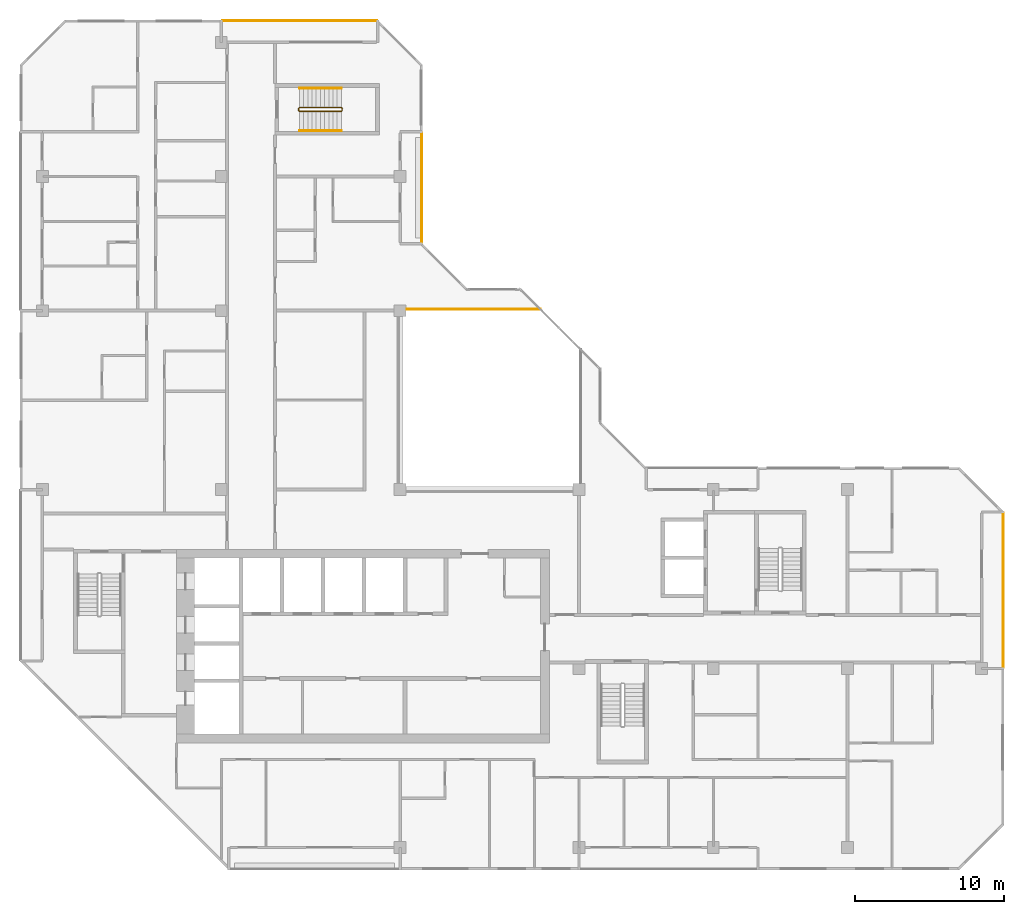
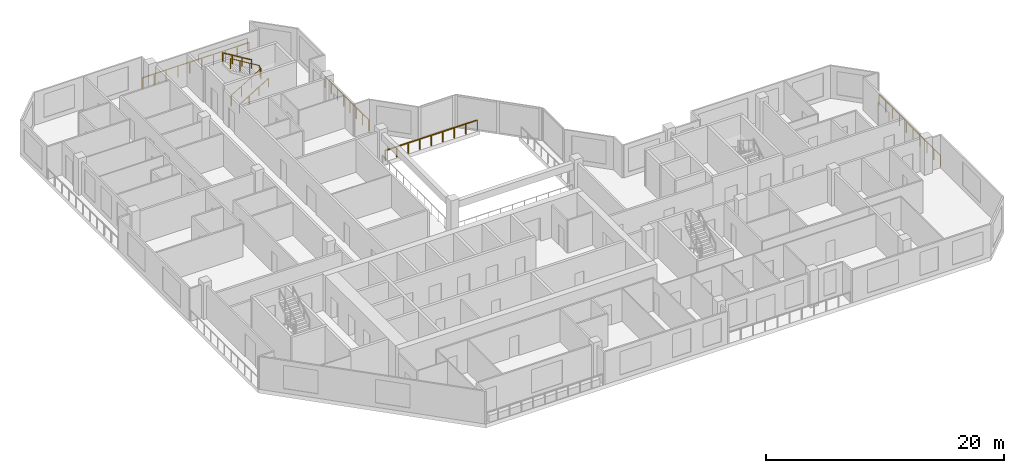
# One storey, part 13 of 13: 7 railings.
"""IFC4 building model written with IfcOpenShell, lengths in metres."""

from ifc_helpers import new_model, si_unit, direction, frame, origin, origin_2d, place, context, subcontext, project, spatial, rectangle, extrude, material, type_object, element, save


model = new_model("IFC4")

# Units and contexts
model_context = context("Model", 3, precision=1e-05, world=origin(), true_north=direction((0.0, 1.0)))
body_context = subcontext(model_context, "Body", "Model", "MODEL_VIEW")
ifc_project = project(units=[si_unit("LENGTHUNIT", "METRE"), si_unit("AREAUNIT", "SQUARE_METRE"), si_unit("VOLUMEUNIT", "CUBIC_METRE"), si_unit("PLANEANGLEUNIT", "RADIAN"), si_unit("MASSUNIT", "GRAM", prefix="KILO")], contexts=[model_context])

# Site, building, storey
site_placement = place(None, origin())
site = spatial("IfcSite", under=ifc_project, at=site_placement, CompositionType="ELEMENT")
building_placement = place(site_placement, origin())
building = spatial("IfcBuilding", under=site, at=building_placement, Name="Chenar Terraces", CompositionType="ELEMENT")
storey_placement = place(building_placement, frame((0.0, 0.0, 299.64990234375)))
storey = spatial("IfcBuildingStorey", under=building, at=storey_placement, Name="L70", CompositionType="ELEMENT", Elevation=299.64990234375)

# Railings
ifc_material_1 = material(Name="Powder-coated steel", Category="steel")
railing_type_1 = type_object("IfcRailingType", Name="Guard 1100 steel rail with glass infill", PredefinedType="GUARDRAIL", material=ifc_material_1)
railing_1_placement = place(storey_placement, frame((24.449951171875, 36.10009765625, 0.0)))
element("IfcRailing", 1, at=railing_1_placement, inside=storey, type_object=railing_type_1, Name="Guard L70-2", PredefinedType="GUARDRAIL", context=body_context, shape_type="SweptSolid", body=[
    extrude(rectangle(XDim=0.06005859375, YDim=0.06005859375, at=origin_2d()), frame((0.0, 0.0, 1.070068359375), z_axis=(1.0, 0.0, 0.0), x_axis=(0.0, 1.0, 0.0)), (0.0, 0.0, 1.0), 8.949951171875),
    extrude(rectangle(XDim=0.050048828125, YDim=0.050048828125, at=origin_2d()), origin(), (0.0, 0.0, 1.0), 1.0400390625),
    extrude(rectangle(XDim=0.050048828125, YDim=0.050048828125, at=origin_2d()), frame((1.11865234375, 0.0, 0.0)), (0.0, 0.0, 1.0), 1.0400390625),
    extrude(rectangle(XDim=0.050048828125, YDim=0.050048828125, at=origin_2d()), frame((2.237548828125, 0.0, 0.0)), (0.0, 0.0, 1.0), 1.0400390625),
    extrude(rectangle(XDim=0.050048828125, YDim=0.050048828125, at=origin_2d()), frame((3.356201171875, 0.0, 0.0)), (0.0, 0.0, 1.0), 1.0400390625),
    extrude(rectangle(XDim=0.050048828125, YDim=0.050048828125, at=origin_2d()), frame((4.47509765625, 0.0, 0.0)), (0.0, 0.0, 1.0), 1.0400390625),
    extrude(rectangle(XDim=0.050048828125, YDim=0.050048828125, at=origin_2d()), frame((5.59375, 0.0, 0.0)), (0.0, 0.0, 1.0), 1.0400390625),
    extrude(rectangle(XDim=0.050048828125, YDim=0.050048828125, at=origin_2d()), frame((6.71240234375, 0.0, 0.0)), (0.0, 0.0, 1.0), 1.0400390625),
    extrude(rectangle(XDim=0.050048828125, YDim=0.050048828125, at=origin_2d()), frame((7.831298828125, 0.0, 0.0)), (0.0, 0.0, 1.0), 1.0400390625),
    extrude(rectangle(XDim=0.050048828125, YDim=0.050048828125, at=origin_2d()), frame((8.949951171875, 0.0, 0.0)), (0.0, 0.0, 1.0), 1.0400390625),
])
ifc_material_2 = material(Name="Stainless steel and glass", Category="steel")
railing_type_2 = type_object("IfcRailingType", Name="Loggia guard 1150", PredefinedType="GUARDRAIL", material=ifc_material_2)
railing_2_placement = place(storey_placement, frame((25.449951171875, 40.574951171875, 0.0)))
element("IfcRailing", 2, at=railing_2_placement, inside=storey, type_object=railing_type_2, Name="Loggia guard", PredefinedType="GUARDRAIL", context=body_context, shape_type="SweptSolid", body=[
    extrude(rectangle(XDim=0.048095703125, YDim=0.048095703125, at=origin_2d()), frame((0.0, 0.0, 1.1259765625), z_axis=(0.0, 1.0, 0.0), x_axis=(-1.0, 0.0, 0.0)), (0.0, 0.0, 1.0), 7.35009765625),
    extrude(rectangle(XDim=0.0419921875, YDim=0.0419921875, at=origin_2d()), origin(), (0.0, 0.0, 1.0), 1.101806640625),
    extrude(rectangle(XDim=0.0419921875, YDim=0.0419921875, at=origin_2d()), frame((0.0, 1.050048828125, 0.0)), (0.0, 0.0, 1.0), 1.101806640625),
    extrude(rectangle(XDim=0.0419921875, YDim=0.0419921875, at=origin_2d()), frame((0.0, 2.10009765625, 0.0)), (0.0, 0.0, 1.0), 1.101806640625),
    extrude(rectangle(XDim=0.0419921875, YDim=0.0419921875, at=origin_2d()), frame((0.0, 3.150146484375, 0.0)), (0.0, 0.0, 1.0), 1.101806640625),
    extrude(rectangle(XDim=0.0419921875, YDim=0.0419921875, at=origin_2d()), frame((0.0, 4.199951171875, 0.0)), (0.0, 0.0, 1.0), 1.101806640625),
    extrude(rectangle(XDim=0.0419921875, YDim=0.0419921875, at=origin_2d()), frame((0.0, 5.25, 0.0)), (0.0, 0.0, 1.0), 1.101806640625),
    extrude(rectangle(XDim=0.0419921875, YDim=0.0419921875, at=origin_2d()), frame((0.0, 6.300048828125, 0.0)), (0.0, 0.0, 1.0), 1.101806640625),
    extrude(rectangle(XDim=0.0419921875, YDim=0.0419921875, at=origin_2d()), frame((0.0, 7.35009765625, 0.0)), (0.0, 0.0, 1.0), 1.101806640625),
])
railing_3_placement = place(storey_placement, frame((64.449951171875, 12.074951171875, 0.0)))
element("IfcRailing", 3, at=railing_3_placement, inside=storey, type_object=railing_type_2, Name="Loggia guard", PredefinedType="GUARDRAIL", context=body_context, shape_type="SweptSolid", body=[
    extrude(rectangle(XDim=0.048095703125, YDim=0.048095703125, at=origin_2d()), frame((0.0, 0.0, 1.1259765625), z_axis=(0.0, 1.0, 0.0), x_axis=(-1.0, 0.0, 0.0)), (0.0, 0.0, 1.0), 10.35009765625),
    extrude(rectangle(XDim=0.0419921875, YDim=0.0419921875, at=origin_2d()), origin(), (0.0, 0.0, 1.0), 1.101806640625),
    extrude(rectangle(XDim=0.0419921875, YDim=0.0419921875, at=origin_2d()), frame((0.0, 1.14990234375, 0.0)), (0.0, 0.0, 1.0), 1.101806640625),
    extrude(rectangle(XDim=0.0419921875, YDim=0.0419921875, at=origin_2d()), frame((0.0, 2.300048828125, 0.0)), (0.0, 0.0, 1.0), 1.101806640625),
    extrude(rectangle(XDim=0.0419921875, YDim=0.0419921875, at=origin_2d()), frame((0.0, 3.449951171875, 0.0)), (0.0, 0.0, 1.0), 1.101806640625),
    extrude(rectangle(XDim=0.0419921875, YDim=0.0419921875, at=origin_2d()), frame((0.0, 4.60009765625, 0.0)), (0.0, 0.0, 1.0), 1.101806640625),
    extrude(rectangle(XDim=0.0419921875, YDim=0.0419921875, at=origin_2d()), frame((0.0, 5.75, 0.0)), (0.0, 0.0, 1.0), 1.101806640625),
    extrude(rectangle(XDim=0.0419921875, YDim=0.0419921875, at=origin_2d()), frame((0.0, 6.900146484375, 0.0)), (0.0, 0.0, 1.0), 1.101806640625),
    extrude(rectangle(XDim=0.0419921875, YDim=0.0419921875, at=origin_2d()), frame((0.0, 8.050048828125, 0.0)), (0.0, 0.0, 1.0), 1.101806640625),
    extrude(rectangle(XDim=0.0419921875, YDim=0.0419921875, at=origin_2d()), frame((0.0, 9.2001953125, 0.0)), (0.0, 0.0, 1.0), 1.101806640625),
    extrude(rectangle(XDim=0.0419921875, YDim=0.0419921875, at=origin_2d()), frame((0.0, 10.35009765625, 0.0)), (0.0, 0.0, 1.0), 1.101806640625),
])
railing_4_placement = place(storey_placement, frame((22.425048828125, 55.449951171875, 0.0)))
element("IfcRailing", 4, at=railing_4_placement, inside=storey, type_object=railing_type_2, Name="Loggia guard", PredefinedType="GUARDRAIL", context=body_context, shape_type="SweptSolid", body=[
    extrude(rectangle(XDim=0.048095703125, YDim=0.048095703125, at=origin_2d()), frame((0.0, 0.0, 1.1259765625), z_axis=(-1.0, 0.0, 0.0), x_axis=(0.0, -1.0, 0.0)), (0.0, 0.0, 1.0), 10.35009765625),
    extrude(rectangle(XDim=0.0419921875, YDim=0.0419921875, at=origin_2d()), origin(), (0.0, 0.0, 1.0), 1.101806640625),
    extrude(rectangle(XDim=0.0419921875, YDim=0.0419921875, at=origin_2d()), frame((-1.14990234375, 0.0, 0.0)), (0.0, 0.0, 1.0), 1.101806640625),
    extrude(rectangle(XDim=0.0419921875, YDim=0.0419921875, at=origin_2d()), frame((-2.300048828125, 0.0, 0.0)), (0.0, 0.0, 1.0), 1.101806640625),
    extrude(rectangle(XDim=0.0419921875, YDim=0.0419921875, at=origin_2d()), frame((-3.449951171875, 0.0, 0.0)), (0.0, 0.0, 1.0), 1.101806640625),
    extrude(rectangle(XDim=0.0419921875, YDim=0.0419921875, at=origin_2d()), frame((-4.60009765625, 0.0, 0.0)), (0.0, 0.0, 1.0), 1.101806640625),
    extrude(rectangle(XDim=0.0419921875, YDim=0.0419921875, at=origin_2d()), frame((-5.75, 0.0, 0.0)), (0.0, 0.0, 1.0), 1.101806640625),
    extrude(rectangle(XDim=0.0419921875, YDim=0.0419921875, at=origin_2d()), frame((-6.900146484375, 0.0, 0.0)), (0.0, 0.0, 1.0), 1.101806640625),
    extrude(rectangle(XDim=0.0419921875, YDim=0.0419921875, at=origin_2d()), frame((-8.050048828125, 0.0, 0.0)), (0.0, 0.0, 1.0), 1.101806640625),
    extrude(rectangle(XDim=0.0419921875, YDim=0.0419921875, at=origin_2d()), frame((-9.2001953125, 0.0, 0.0)), (0.0, 0.0, 1.0), 1.101806640625),
    extrude(rectangle(XDim=0.0419921875, YDim=0.0419921875, at=origin_2d()), frame((-10.35009765625, 0.0, 0.0)), (0.0, 0.0, 1.0), 1.101806640625),
])
ifc_material_3 = material(Name="Powder-coated steel", Category="steel")
railing_type_3 = type_object("IfcRailingType", Name="Stair guard 1100", PredefinedType="GUARDRAIL", material=ifc_material_3)
railing_5_placement = place(storey_placement, frame((17.25, 49.625, 3.75)))
element("IfcRailing", 5, at=railing_5_placement, inside=storey, type_object=railing_type_3, Name="L70 ST4 stair guard 1", PredefinedType="GUARDRAIL", context=body_context, shape_type="SweptSolid", body=[
    extrude(rectangle(XDim=0.048095703125, YDim=0.048095703125, at=origin_2d()), frame((0.0, 0.0, 1.076171875), z_axis=(0.854202870247, 0.0, -0.519939858505), x_axis=(0.0, 1.0, 0.0)), (0.0, 0.0, 1.0), 3.278076171875),
    extrude(rectangle(XDim=0.048095703125, YDim=0.048095703125, at=origin_2d()), frame((2.800048828125, 0.0, -0.62841796875), z_axis=(0.270899902878, -0.270899902878, -0.923702595667), x_axis=(0.707106781187, 0.707106781187, 0.0)), (0.0, 0.0, 1.0), 0.184814453125),
    extrude(rectangle(XDim=0.048095703125, YDim=0.048095703125, at=origin_2d()), frame((2.85009765625, -0.050048828125, -0.798828125), z_axis=(0.0, -1.0, 0.0), x_axis=(1.0, 0.0, 0.0)), (0.0, 0.0, 1.0), 0.14990234375),
    extrude(rectangle(XDim=0.048095703125, YDim=0.048095703125, at=origin_2d()), frame((2.85009765625, -0.199951171875, -0.798828125), z_axis=(-0.707106781187, -0.707106781187, 0.0), x_axis=(0.707106781187, -0.707106781187, 0.0)), (0.0, 0.0, 1.0), 0.07080078125),
    extrude(rectangle(XDim=0.048095703125, YDim=0.048095703125, at=origin_2d()), frame((2.800048828125, -0.25, -0.798828125), z_axis=(-0.854202870247, 0.0, -0.519939858505), x_axis=(0.0, -1.0, 0.0)), (0.0, 0.0, 1.0), 3.278076171875),
    extrude(rectangle(XDim=0.048095703125, YDim=0.048095703125, at=origin_2d()), frame((0.0, -0.25, -2.50341796875), z_axis=(-0.270899902878, 0.270899902878, -0.923702595667), x_axis=(-0.707106781187, -0.707106781187, 0.0)), (0.0, 0.0, 1.0), 0.184814453125),
    extrude(rectangle(XDim=0.048095703125, YDim=0.048095703125, at=origin_2d()), frame((-0.050048828125, -0.199951171875, -2.673828125), z_axis=(0.0, 1.0, 0.0), x_axis=(-1.0, 0.0, 0.0)), (0.0, 0.0, 1.0), 0.14990234375),
    extrude(rectangle(XDim=0.0419921875, YDim=0.0419921875, at=origin_2d()), origin(), (0.0, 0.0, 1.0), 1.052001953125),
    extrude(rectangle(XDim=0.0419921875, YDim=0.0419921875, at=origin_2d()), frame((0.933349609375, 0.0, -0.568115234375)), (0.0, 0.0, 1.0), 1.052001953125),
    extrude(rectangle(XDim=0.0419921875, YDim=0.0419921875, at=origin_2d()), frame((1.86669921875, 0.0, -1.13623046875)), (0.0, 0.0, 1.0), 1.052001953125),
    extrude(rectangle(XDim=0.0419921875, YDim=0.0419921875, at=origin_2d()), frame((2.800048828125, 0.0, -1.704345703125)), (0.0, 0.0, 1.0), 1.052001953125),
    extrude(rectangle(XDim=0.0419921875, YDim=0.0419921875, at=origin_2d()), frame((2.85009765625, -0.050048828125, -1.875)), (0.0, 0.0, 1.0), 1.052001953125),
    extrude(rectangle(XDim=0.0419921875, YDim=0.0419921875, at=origin_2d()), frame((2.85009765625, -0.199951171875, -1.875)), (0.0, 0.0, 1.0), 1.052001953125),
    extrude(rectangle(XDim=0.0419921875, YDim=0.0419921875, at=origin_2d()), frame((2.800048828125, -0.25, -1.875)), (0.0, 0.0, 1.0), 1.052001953125),
    extrude(rectangle(XDim=0.0419921875, YDim=0.0419921875, at=origin_2d()), frame((1.86669921875, -0.25, -2.443115234375)), (0.0, 0.0, 1.0), 1.052001953125),
    extrude(rectangle(XDim=0.0419921875, YDim=0.0419921875, at=origin_2d()), frame((0.933349609375, -0.25, -3.01123046875)), (0.0, 0.0, 1.0), 1.052001953125),
    extrude(rectangle(XDim=0.0419921875, YDim=0.0419921875, at=origin_2d()), frame((0.0, -0.25, -3.579345703125)), (0.0, 0.0, 1.0), 1.052001953125),
    extrude(rectangle(XDim=0.0419921875, YDim=0.0419921875, at=origin_2d()), frame((-0.050048828125, -0.199951171875, -3.75)), (0.0, 0.0, 1.0), 1.052001953125),
    extrude(rectangle(XDim=0.0419921875, YDim=0.0419921875, at=origin_2d()), frame((-0.050048828125, -0.050048828125, -3.75)), (0.0, 0.0, 1.0), 1.052001953125),
])
ifc_material_4 = material(Name="Powder-coated steel", Category="steel")
railing_type_4 = type_object("IfcRailingType", Name="Stair handrail 900", PredefinedType="HANDRAIL", material=ifc_material_4)
railing_6_placement = place(storey_placement, frame((17.25, 48.074951171875, 0.170654296875)))
element("IfcRailing", 6, at=railing_6_placement, inside=storey, type_object=railing_type_4, Name="L70 ST4 stair handrail 1", PredefinedType="HANDRAIL", context=body_context, shape_type="SweptSolid", body=[
    extrude(rectangle(XDim=0.048095703125, YDim=0.048095703125, at=origin_2d()), frame((0.0, 0.0, 0.8759765625), z_axis=(0.854202870247, 0.0, 0.519939858505), x_axis=(0.0, 1.0, 0.0)), (0.0, 0.0, 1.0), 3.278076171875),
    extrude(rectangle(XDim=0.0419921875, YDim=0.0419921875, at=origin_2d()), origin(), (0.0, 0.0, 1.0), 0.851806640625),
    extrude(rectangle(XDim=0.0419921875, YDim=0.0419921875, at=origin_2d()), frame((0.933349609375, 0.0, 0.568115234375)), (0.0, 0.0, 1.0), 0.851806640625),
    extrude(rectangle(XDim=0.0419921875, YDim=0.0419921875, at=origin_2d()), frame((1.86669921875, 0.0, 1.13623046875)), (0.0, 0.0, 1.0), 0.851806640625),
    extrude(rectangle(XDim=0.0419921875, YDim=0.0419921875, at=origin_2d()), frame((2.800048828125, 0.0, 1.704345703125)), (0.0, 0.0, 1.0), 0.851806640625),
])
railing_7_placement = place(storey_placement, frame((20.050048828125, 50.925048828125, 2.045654296875)))
element("IfcRailing", 7, at=railing_7_placement, inside=storey, type_object=railing_type_4, Name="L70 ST4 stair handrail 2", PredefinedType="HANDRAIL", context=body_context, shape_type="SweptSolid", body=[
    extrude(rectangle(XDim=0.048095703125, YDim=0.048095703125, at=origin_2d()), frame((0.0, 0.0, 0.8759765625), z_axis=(-0.854202870247, 0.0, 0.519939858505), x_axis=(0.0, -1.0, 0.0)), (0.0, 0.0, 1.0), 3.278076171875),
    extrude(rectangle(XDim=0.0419921875, YDim=0.0419921875, at=origin_2d()), origin(), (0.0, 0.0, 1.0), 0.851806640625),
    extrude(rectangle(XDim=0.0419921875, YDim=0.0419921875, at=origin_2d()), frame((-0.933349609375, 0.0, 0.568115234375)), (0.0, 0.0, 1.0), 0.851806640625),
    extrude(rectangle(XDim=0.0419921875, YDim=0.0419921875, at=origin_2d()), frame((-1.86669921875, 0.0, 1.13623046875)), (0.0, 0.0, 1.0), 0.851806640625),
    extrude(rectangle(XDim=0.0419921875, YDim=0.0419921875, at=origin_2d()), frame((-2.800048828125, 0.0, 1.704345703125)), (0.0, 0.0, 1.0), 0.851806640625),
])

save(model, "model.ifc")
